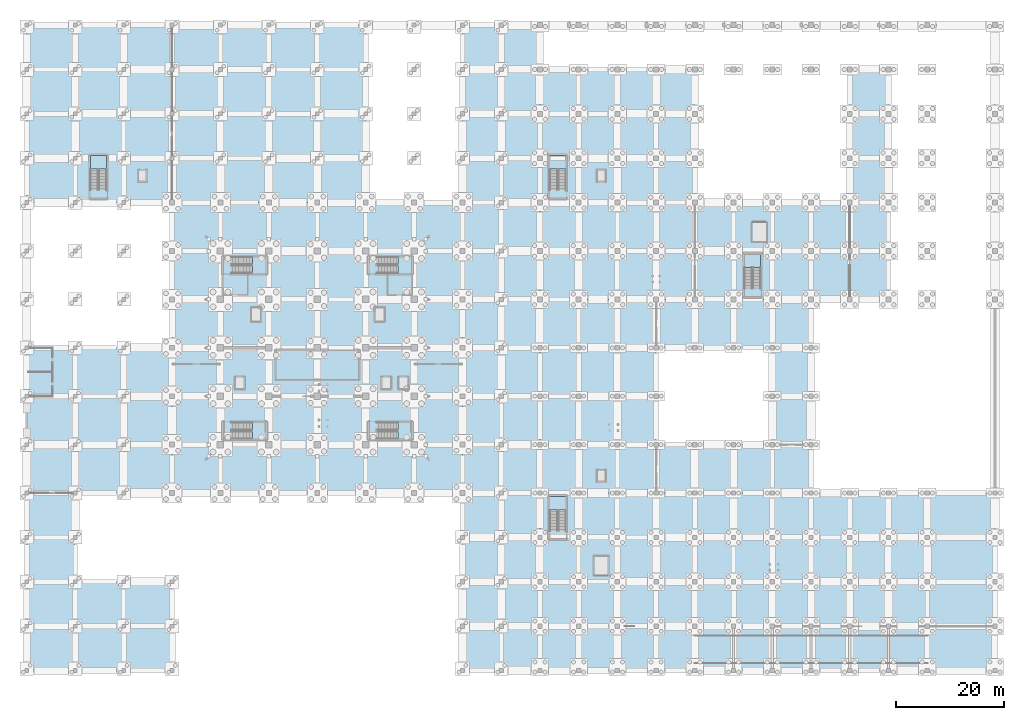
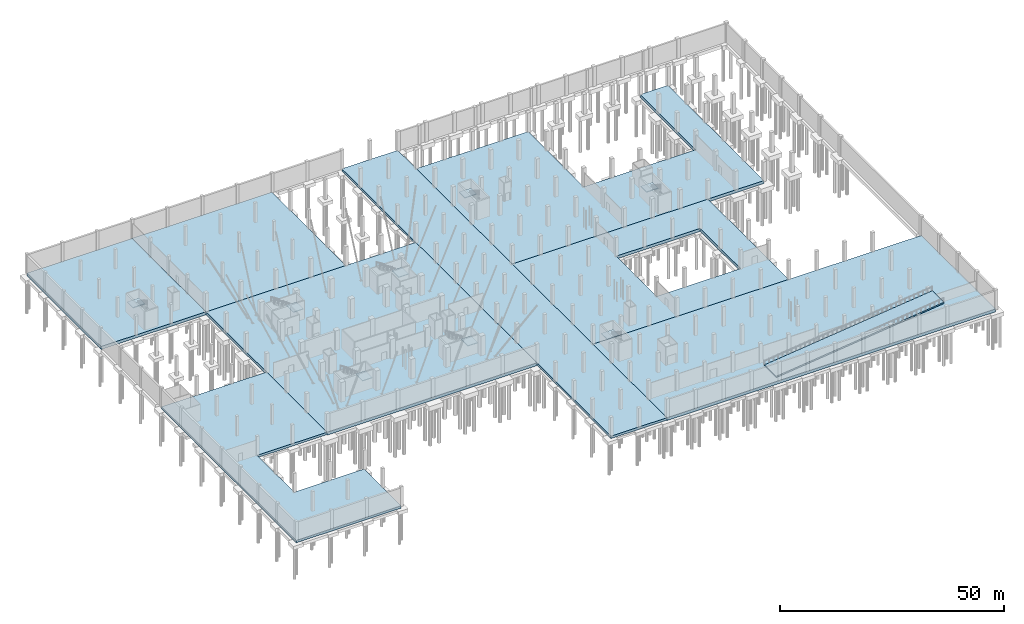
# One storey, part 21 of 42: 17 slabs, 8 elements without a shape of their own.
"""IFC4 building model written with IfcOpenShell, lengths in metres."""

from ifc_helpers import new_model, si_unit, direction, frame, origin, place, context, subcontext, project, spatial, polyline, outline, extrude, material, layer, layer_set, type_object, element, aggregate, save


model = new_model("IFC4")

# Units and contexts
model_context = context("Model", 3, precision=1e-05, world=origin(), true_north=direction((0.0, 1.0)))
body_context = subcontext(model_context, "Body", "Model", "MODEL_VIEW")
ifc_project = project(units=[si_unit("LENGTHUNIT", "METRE"), si_unit("AREAUNIT", "SQUARE_METRE"), si_unit("VOLUMEUNIT", "CUBIC_METRE"), si_unit("PLANEANGLEUNIT", "RADIAN"), si_unit("MASSUNIT", "GRAM", prefix="KILO")], contexts=[model_context])

# Site, building, storey
site_placement = place(None, origin())
site = spatial("IfcSite", under=ifc_project, at=site_placement, CompositionType="ELEMENT")
building_placement = place(site_placement, origin())
building = spatial("IfcBuilding", under=site, at=building_placement, Name="Sundgate Opera House", CompositionType="ELEMENT")
storey_placement = place(building_placement, frame((0.0, 0.0, -5.39990234375)))
storey = spatial("IfcBuildingStorey", under=building, at=storey_placement, Name="B01", CompositionType="ELEMENT", Elevation=-5.39990234375)

# Slab
ifc_material_1 = material(Name="Concrete C40/50", Category="concrete")
ifc_layer_1 = layer(ifc_material_1, 0.35009765625)
ifc_layer_set_1 = layer_set([ifc_layer_1], Name="Concrete C40/50")
slab_type_1 = type_object("IfcSlabType", Name="SL-FLR-350", PredefinedType="FLOOR", material=ifc_layer_set_1)
slab_1_placement = place(storey_placement, frame((124.25, 1.300048828125, 0.35986328125), z_axis=(-0.115908210999, 0.0, 0.993259929033), x_axis=(0.993259929033, 0.0, 0.115908210999)))
element("IfcSlab", 1, at=slab_1_placement, inside=storey, type_object=slab_type_1, Name="B01 Service Basement Vehicle Ramp Sloped Slab", PredefinedType="FLOOR", context=body_context, shape_type="SweptSolid", body=[
    extrude(outline(polyline([(0.0, 0.0), (43.48302004721883, 0.0), (43.48302004721883, 5.199951171875), (0.0, 5.199951171875), (0.0, 0.0)])), origin(), (0.0, 0.0, -1.0), 0.35009765625),
])

# Stair, slab
ifc_material_2 = material(Name="Concrete C35/45", Category="concrete")
stair_type = type_object("IfcStairType", Name="ST-HT-30R-1450", PredefinedType="HALF_TURN_STAIR", material=ifc_material_2)
stair_1_placement = place(storey_placement, origin())
stair_1 = element("IfcStair", 2, at=stair_1_placement, inside=storey, type_object=stair_type, Name="B01 Escape Stair ST-01", PredefinedType="HALF_TURN_STAIR")
ifc_material_3 = material(Name="Concrete C35/45", Category="concrete")
ifc_layer_2 = layer(ifc_material_3, 0.199951171875)
ifc_layer_set_2 = layer_set([ifc_layer_2], Name="Concrete C35/45")
slab_type_2 = type_object("IfcSlabType", Name="SL-LAND-200", PredefinedType="LANDING", material=ifc_layer_set_2)
slab_2_placement = place(storey_placement, frame((0.0, 0.0, 2.5)))
slab_2 = element("IfcSlab", 3, at=slab_2_placement, type_object=slab_type_2, Name="ST01B01 Landing 1", PredefinedType="LANDING", context=body_context, shape_type="SweptSolid", body=[
    extrude(outline(polyline([(41.919921875, 43.050048828125), (44.449951171875, 43.050048828125), (44.449951171875, 46.10009765625), (41.919921875, 46.10009765625), (41.919921875, 43.050048828125)])), origin(), (0.0, 0.0, 1.0), 0.199951171875),
])
aggregate(stair_1, [slab_2])

stair_2_placement = place(storey_placement, origin())
stair_2 = element("IfcStair", 4, at=stair_2_placement, inside=storey, type_object=stair_type, Name="B01 Escape Stair ST-02", PredefinedType="HALF_TURN_STAIR")
slab_3_placement = place(storey_placement, frame((0.0, 0.0, 2.5)))
slab_3 = element("IfcSlab", 5, at=slab_3_placement, type_object=slab_type_2, Name="ST02B01 Landing 1", PredefinedType="LANDING", context=body_context, shape_type="SweptSolid", body=[
    extrude(outline(polyline([(41.919921875, 73.85009765625), (44.449951171875, 73.85009765625), (44.449951171875, 76.89990234375), (41.919921875, 76.89990234375), (41.919921875, 73.85009765625)])), origin(), (0.0, 0.0, 1.0), 0.199951171875),
])
aggregate(stair_2, [slab_3])

stair_3_placement = place(storey_placement, origin())
stair_3 = element("IfcStair", 6, at=stair_3_placement, inside=storey, type_object=stair_type, Name="B01 Escape Stair ST-03", PredefinedType="HALF_TURN_STAIR")
slab_4_placement = place(storey_placement, frame((0.0, 0.0, 2.5)))
slab_4 = element("IfcSlab", 7, at=slab_4_placement, type_object=slab_type_2, Name="ST03B01 Landing 1", PredefinedType="LANDING", context=body_context, shape_type="SweptSolid", body=[
    extrude(outline(polyline([(69.02001953125, 43.050048828125), (71.550048828125, 43.050048828125), (71.550048828125, 46.10009765625), (69.02001953125, 46.10009765625), (69.02001953125, 43.050048828125)])), origin(), (0.0, 0.0, 1.0), 0.199951171875),
])
aggregate(stair_3, [slab_4])

stair_4_placement = place(storey_placement, origin())
stair_4 = element("IfcStair", 8, at=stair_4_placement, inside=storey, type_object=stair_type, Name="B01 Escape Stair ST-04", PredefinedType="HALF_TURN_STAIR")
slab_5_placement = place(storey_placement, frame((0.0, 0.0, 2.5)))
slab_5 = element("IfcSlab", 9, at=slab_5_placement, type_object=slab_type_2, Name="ST04B01 Landing 1", PredefinedType="LANDING", context=body_context, shape_type="SweptSolid", body=[
    extrude(outline(polyline([(69.02001953125, 73.85009765625), (71.550048828125, 73.85009765625), (71.550048828125, 76.89990234375), (69.02001953125, 76.89990234375), (69.02001953125, 73.85009765625)])), origin(), (0.0, 0.0, 1.0), 0.199951171875),
])
aggregate(stair_4, [slab_5])

stair_5_placement = place(storey_placement, origin())
stair_5 = element("IfcStair", 10, at=stair_5_placement, inside=storey, type_object=stair_type, Name="B01 Escape Stair ST-05", PredefinedType="HALF_TURN_STAIR")
slab_6_placement = place(storey_placement, frame((0.0, 0.0, 2.5)))
slab_6 = element("IfcSlab", 11, at=slab_6_placement, type_object=slab_type_2, Name="ST05B01 Landing 1", PredefinedType="LANDING", context=body_context, shape_type="SweptSolid", body=[
    extrude(outline(polyline([(100.25, 93.219970703125), (100.25, 95.800048828125), (97.199951171875, 95.800048828125), (97.199951171875, 93.219970703125), (100.25, 93.219970703125)])), origin(), (0.0, 0.0, 1.0), 0.199951171875),
])
aggregate(stair_5, [slab_6])

stair_6_placement = place(storey_placement, origin())
stair_6 = element("IfcStair", 12, at=stair_6_placement, inside=storey, type_object=stair_type, Name="B01 Escape Stair ST-06", PredefinedType="HALF_TURN_STAIR")
slab_7_placement = place(storey_placement, frame((0.0, 0.0, 2.5)))
slab_7 = element("IfcSlab", 13, at=slab_7_placement, type_object=slab_type_2, Name="ST06B01 Landing 1", PredefinedType="LANDING", context=body_context, shape_type="SweptSolid", body=[
    extrude(outline(polyline([(136.449951171875, 74.919921875), (136.449951171875, 77.5), (133.39990234375, 77.5), (133.39990234375, 74.919921875), (136.449951171875, 74.919921875)])), origin(), (0.0, 0.0, 1.0), 0.199951171875),
])
aggregate(stair_6, [slab_7])

stair_7_placement = place(storey_placement, origin())
stair_7 = element("IfcStair", 14, at=stair_7_placement, inside=storey, type_object=stair_type, Name="B01 Escape Stair ST-07", PredefinedType="HALF_TURN_STAIR")
slab_8_placement = place(storey_placement, frame((0.0, 0.0, 2.5)))
slab_8 = element("IfcSlab", 15, at=slab_8_placement, type_object=slab_type_2, Name="ST07B01 Landing 1", PredefinedType="LANDING", context=body_context, shape_type="SweptSolid", body=[
    extrude(outline(polyline([(100.25, 29.820068359375), (100.25, 32.39990234375), (97.199951171875, 32.39990234375), (97.199951171875, 29.820068359375), (100.25, 29.820068359375)])), origin(), (0.0, 0.0, 1.0), 0.199951171875),
])
aggregate(stair_7, [slab_8])

stair_8_placement = place(storey_placement, origin())
stair_8 = element("IfcStair", 16, at=stair_8_placement, inside=storey, type_object=stair_type, Name="B01 Escape Stair ST-08", PredefinedType="HALF_TURN_STAIR")
slab_9_placement = place(storey_placement, frame((0.0, 0.0, 2.5)))
slab_9 = element("IfcSlab", 17, at=slab_9_placement, type_object=slab_type_2, Name="ST08B01 Landing 1", PredefinedType="LANDING", context=body_context, shape_type="SweptSolid", body=[
    extrude(outline(polyline([(14.85009765625, 93.219970703125), (14.85009765625, 95.800048828125), (11.800048828125, 95.800048828125), (11.800048828125, 93.219970703125), (14.85009765625, 93.219970703125)])), origin(), (0.0, 0.0, 1.0), 0.199951171875),
])
aggregate(stair_8, [slab_9])

# Slabs
ifc_material_4 = material(Name="Concrete C35/45", Category="concrete")
ifc_layer_3 = layer(ifc_material_4, 0.64990234375)
ifc_layer_set_3 = layer_set([ifc_layer_3], Name="Concrete C35/45")
slab_type_3 = type_object("IfcSlabType", Name="SL-RAFT-650", PredefinedType="BASESLAB", material=ifc_layer_set_3)
slab_10_placement = place(storey_placement, frame((0.0, 0.0, -0.650146484375)))
element("IfcSlab", 18, at=slab_10_placement, inside=storey, type_object=slab_type_3, Name="B01 Watertight Raft V5", PredefinedType="BASESLAB", context=body_context, shape_type="SweptSolid", body=[
    extrude(outline(polyline([(0.0, 0.0), (27.0, 0.0), (27.0, 16.5), (9.0, 16.5), (9.0, 33.0), (27.0, 33.0), (27.0, 60.0), (0.0, 60.0), (0.0, 0.0)])), origin(), (0.0, 0.0, 1.0), 0.650146484375),
])
slab_11_placement = place(storey_placement, frame((0.0, 0.0, -0.650146484375)))
element("IfcSlab", 19, at=slab_11_placement, inside=storey, type_object=slab_type_3, Name="B01 Watertight Raft V7", PredefinedType="BASESLAB", context=body_context, shape_type="SweptSolid", body=[
    extrude(outline(polyline([(81.0, 0.0), (95.39990234375, 0.0), (95.39990234375, 120.0), (81.0, 120.0), (81.0, 0.0)])), origin(), (0.0, 0.0, 1.0), 0.650146484375),
])
ifc_material_5 = material(Name="Concrete C35/45", Category="concrete")
ifc_layer_4 = layer(ifc_material_5, 0.800048828125)
ifc_layer_set_4 = layer_set([ifc_layer_4], Name="Concrete C35/45")
slab_type_4 = type_object("IfcSlabType", Name="SL-RAFT-800", PredefinedType="BASESLAB", material=ifc_layer_set_4)
slab_12_placement = place(storey_placement, frame((0.0, 0.0, -0.800048828125)))
element("IfcSlab", 20, at=slab_12_placement, inside=storey, type_object=slab_type_4, Name="B01 Watertight Raft V1", PredefinedType="BASESLAB", context=body_context, shape_type="SweptSolid", body=[
    extrude(outline(polyline([(27.0, 33.0), (81.0, 33.0), (81.0, 87.0), (27.0, 87.0), (27.0, 33.0)])), origin(), (0.0, 0.0, 1.0), 0.800048828125),
])
slab_13_placement = place(storey_placement, frame((0.0, 0.0, -0.800048828125)))
element("IfcSlab", 21, at=slab_13_placement, inside=storey, type_object=slab_type_4, Name="B01 Watertight Raft V2", PredefinedType="BASESLAB", context=body_context, shape_type="SweptSolid", body=[
    extrude(outline(polyline([(95.39990234375, 33.0), (145.800048828125, 33.0), (145.800048828125, 69.0), (95.39990234375, 69.0), (95.39990234375, 33.0)]), holes=[polyline([(117.0, 60.0), (138.60009765625, 60.0), (138.60009765625, 42.0), (117.0, 42.0), (117.0, 60.0)])]), origin(), (0.0, 0.0, 1.0), 0.800048828125),
])
slab_14_placement = place(storey_placement, frame((0.0, 0.0, -0.800048828125)))
element("IfcSlab", 22, at=slab_14_placement, inside=storey, type_object=slab_type_4, Name="B01 Watertight Raft V3", PredefinedType="BASESLAB", context=body_context, shape_type="SweptSolid", body=[
    extrude(outline(polyline([(95.39990234375, 0.0), (180.0, 0.0), (180.0, 33.0), (95.39990234375, 33.0), (95.39990234375, 0.0)])), origin(), (0.0, 0.0, 1.0), 0.800048828125),
])
slab_15_placement = place(storey_placement, frame((0.0, 0.0, -0.800048828125)))
element("IfcSlab", 23, at=slab_15_placement, inside=storey, type_object=slab_type_4, Name="B01 Watertight Raft V4", PredefinedType="BASESLAB", context=body_context, shape_type="SweptSolid", body=[
    extrude(outline(polyline([(95.39990234375, 69.0), (160.199951171875, 69.0), (160.199951171875, 111.75), (153.0, 111.75), (153.0, 87.0), (124.199951171875, 87.0), (124.199951171875, 111.75), (95.39990234375, 111.75), (95.39990234375, 69.0)])), origin(), (0.0, 0.0, 1.0), 0.800048828125),
])
slab_16_placement = place(storey_placement, frame((0.0, 0.0, -0.800048828125)))
element("IfcSlab", 24, at=slab_16_placement, inside=storey, type_object=slab_type_4, Name="B01 Watertight Raft V6", PredefinedType="BASESLAB", context=body_context, shape_type="SweptSolid", body=[
    extrude(outline(polyline([(0.0, 87.0), (27.0, 87.0), (27.0, 120.0), (0.0, 120.0), (0.0, 87.0)])), origin(), (0.0, 0.0, 1.0), 0.800048828125),
])
slab_17_placement = place(storey_placement, frame((0.0, 0.0, -0.800048828125)))
element("IfcSlab", 25, at=slab_17_placement, inside=storey, type_object=slab_type_4, Name="B01 Watertight Raft V6", PredefinedType="BASESLAB", context=body_context, shape_type="SweptSolid", body=[
    extrude(outline(polyline([(27.0, 87.0), (63.0, 87.0), (63.0, 120.0), (27.0, 120.0), (27.0, 87.0)])), origin(), (0.0, 0.0, 1.0), 0.800048828125),
])

save(model, "model.ifc")
